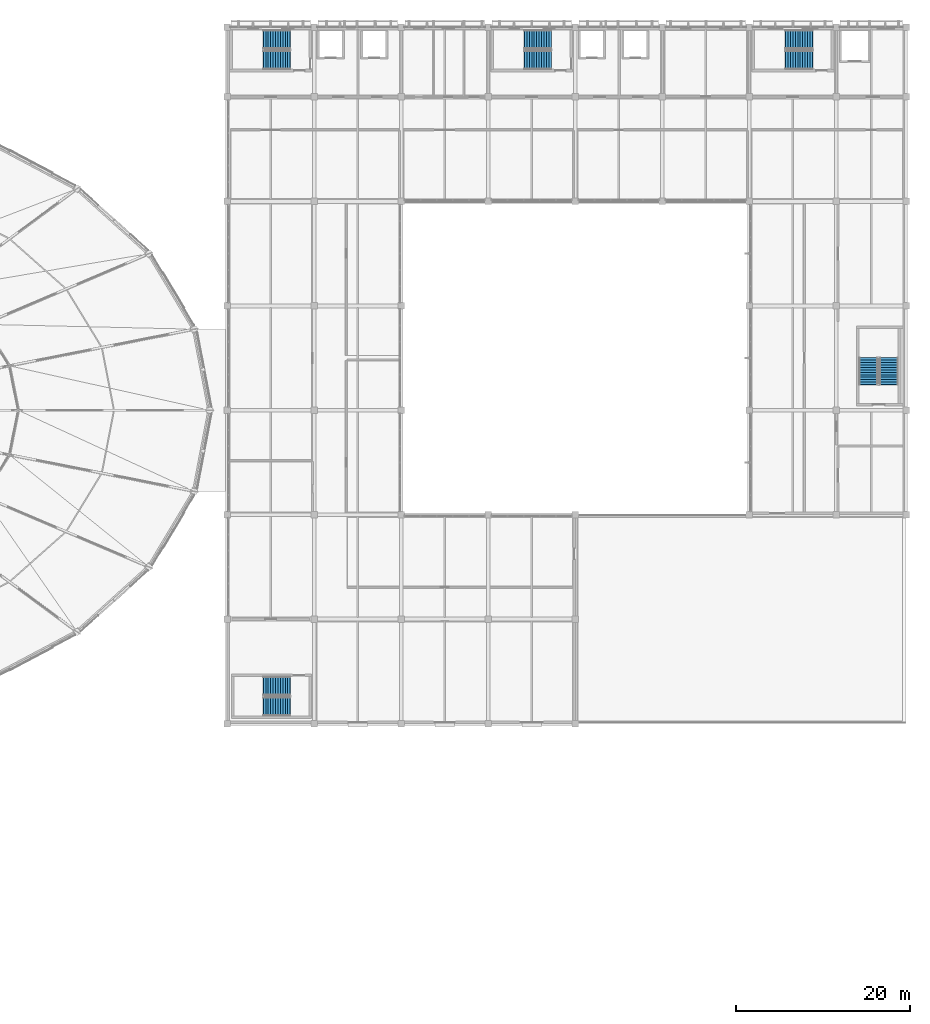
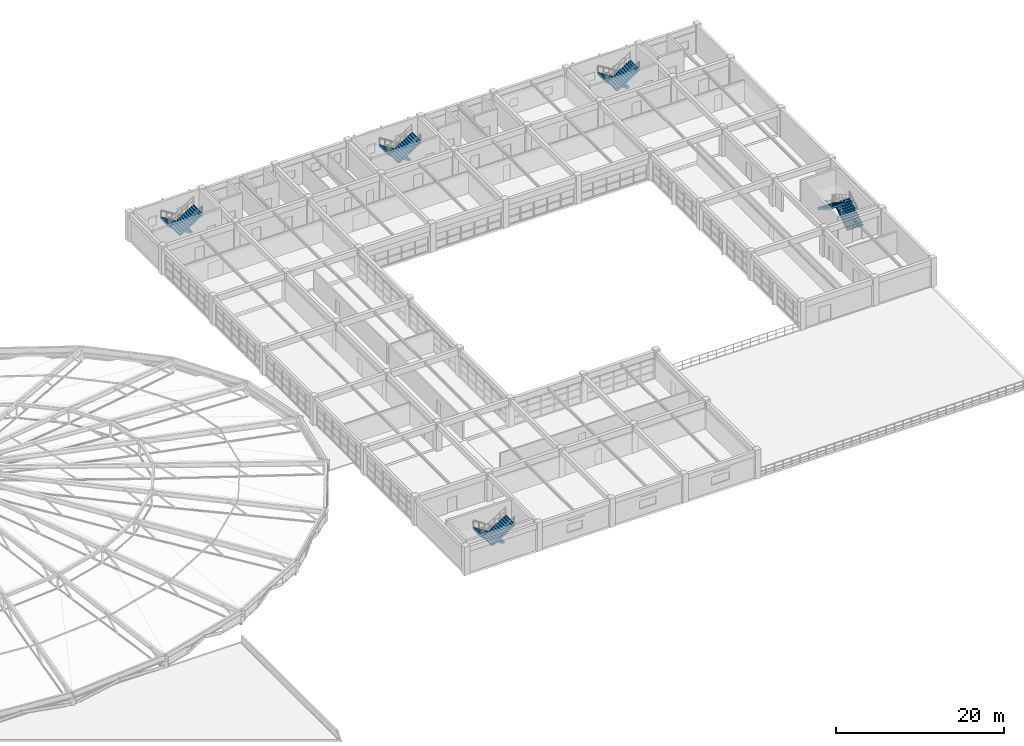
# One storey, part 74 of 83: 10 stair flights, 5 elements without a shape of their own.
"""IFC4 building model written with IfcOpenShell, lengths in metres."""

from ifc_helpers import new_model, si_unit, direction, frame, origin, place, context, subcontext, project, spatial, polyline, outline, extrude, material, type_object, element, aggregate, save


model = new_model("IFC4")

# Units and contexts
model_context = context("Model", 3, precision=1e-05, world=origin(), true_north=direction((0.0, 1.0)))
body_context = subcontext(model_context, "Body", "Model", "MODEL_VIEW")
ifc_project = project(units=[si_unit("LENGTHUNIT", "METRE"), si_unit("AREAUNIT", "SQUARE_METRE"), si_unit("VOLUMEUNIT", "CUBIC_METRE"), si_unit("PLANEANGLEUNIT", "RADIAN"), si_unit("MASSUNIT", "GRAM", prefix="KILO")], contexts=[model_context])

# Site, building, storey
site_placement = place(None, origin())
site = spatial("IfcSite", under=ifc_project, at=site_placement, CompositionType="ELEMENT")
building_placement = place(site_placement, origin())
building = spatial("IfcBuilding", under=site, at=building_placement, Name="Kivolera Central Railway Station", CompositionType="ELEMENT")
storey_placement = place(building_placement, frame((0.0, 0.0, 14.39990234375)))
storey = spatial("IfcBuildingStorey", under=building, at=storey_placement, Name="L03", CompositionType="ELEMENT", Elevation=14.39990234375)

# Stair, stair flights
ifc_material = material(Name="Concrete C40/50", Category="concrete")
stair_type = type_object("IfcStairType", Name="STR-2160-24", PredefinedType="HALF_TURN_STAIR", material=ifc_material)
stair_1_placement = place(storey_placement, origin())
stair_1 = element("IfcStair", 1, at=stair_1_placement, inside=storey, type_object=stair_type, Name="L03 Protected Exit Stair ST1", PredefinedType="HALF_TURN_STAIR")
stair_flight_type = type_object("IfcStairFlightType", Name="SFL-2160-24", PredefinedType="STRAIGHT", material=ifc_material)
stair_flight_1_placement = place(storey_placement, frame((125.239990234375, 132.60009765625, 0.0), z_axis=(0.0, 0.0, 1.0), x_axis=(-1.0, 0.0, 0.0)))
stair_flight_1 = element("IfcStairFlight", 2, at=stair_flight_1_placement, type_object=stair_flight_type, Name="ST1 flight 1", NumberOfRisers=12, NumberOfTreads=11, PredefinedType="STRAIGHT", RiserHeight=0.175, TreadLength=0.28, context=body_context, shape_type="SweptSolid", body=[
    extrude(outline(polyline([(-0.0400390625, 0.0), (0.0, 0.0), (0.0, 0.175048828125), (0.280029296875, 0.175048828125), (0.280029296875, 0.35009765625), (0.56005859375, 0.35009765625), (0.56005859375, 0.52490234375), (0.840087890625, 0.52490234375), (0.840087890625, 0.699951171875), (1.1201171875, 0.699951171875), (1.1201171875, 0.875), (1.39990234375, 0.875), (1.39990234375, 1.050048828125), (1.679931640625, 1.050048828125), (1.679931640625, 1.22509765625), (1.9599609375, 1.22509765625), (1.9599609375, 1.39990234375), (2.239990234375, 1.39990234375), (2.239990234375, 1.574951171875), (2.52001953125, 1.574951171875), (2.52001953125, 1.75), (2.800048828125, 1.75), (2.800048828125, 1.925048828125), (3.080078125, 1.925048828125), (3.080078125, 2.10009765625), (3.1201171875, 2.10009765625), (3.1201171875, 2.064697265625), (3.1201171875, 2.029541015625), (3.1201171875, 1.994384765625), (3.1201171875, 1.959228515625), (3.1201171875, 1.924072265625), (3.1201171875, 1.888916015625), (3.1201171875, 1.853759765625), (3.1201171875, 1.818603515625), (3.1201171875, 1.783447265625), (3.1201171875, 1.748291015625), (0.28271484375, -0.080078125), (-0.0400390625, -0.072021484375), (-0.0400390625, -0.06396484375), (-0.0400390625, -0.055908203125), (-0.0400390625, -0.048095703125), (-0.0400390625, -0.0400390625), (-0.0400390625, -0.031982421875), (-0.0400390625, -0.02392578125), (-0.0400390625, -0.01611328125), (-0.0400390625, -0.008056640625), (-0.0400390625, 0.0)])), frame((0.0, 1.080078125, 0.0), z_axis=(0.0, -1.0, 0.0), x_axis=(1.0, 0.0, 0.0)), (0.0, 0.0, 1.0), 2.159912109375),
])
stair_flight_2_placement = place(storey_placement, frame((122.159912109375, 130.260009765625, 2.10009765625), z_axis=(0.0, 0.0, 1.0), x_axis=(1.0, 0.0, 0.0)))
stair_flight_2 = element("IfcStairFlight", 3, at=stair_flight_2_placement, type_object=stair_flight_type, Name="ST1 flight 2", NumberOfRisers=12, NumberOfTreads=11, PredefinedType="STRAIGHT", RiserHeight=0.175, TreadLength=0.28, context=body_context, shape_type="SweptSolid", body=[
    extrude(outline(polyline([(-0.0400390625, 0.0), (0.0, 0.0), (0.0, 0.175048828125), (0.280029296875, 0.175048828125), (0.280029296875, 0.35009765625), (0.56005859375, 0.35009765625), (0.56005859375, 0.52490234375), (0.840087890625, 0.52490234375), (0.840087890625, 0.699951171875), (1.1201171875, 0.699951171875), (1.1201171875, 0.875), (1.39990234375, 0.875), (1.39990234375, 1.050048828125), (1.679931640625, 1.050048828125), (1.679931640625, 1.22509765625), (1.9599609375, 1.22509765625), (1.9599609375, 1.39990234375), (2.239990234375, 1.39990234375), (2.239990234375, 1.574951171875), (2.52001953125, 1.574951171875), (2.52001953125, 1.75), (2.800048828125, 1.75), (2.800048828125, 1.925048828125), (3.080078125, 1.925048828125), (3.080078125, 2.10009765625), (3.1201171875, 2.10009765625), (3.1201171875, 2.064697265625), (3.1201171875, 2.029541015625), (3.1201171875, 1.994384765625), (3.1201171875, 1.959228515625), (3.1201171875, 1.924072265625), (3.1201171875, 1.888916015625), (3.1201171875, 1.853759765625), (3.1201171875, 1.818603515625), (3.1201171875, 1.783447265625), (3.1201171875, 1.748291015625), (0.28271484375, -0.080078125), (-0.0400390625, -0.072021484375), (-0.0400390625, -0.06396484375), (-0.0400390625, -0.055908203125), (-0.0400390625, -0.048095703125), (-0.0400390625, -0.0400390625), (-0.0400390625, -0.031982421875), (-0.0400390625, -0.02392578125), (-0.0400390625, -0.01611328125), (-0.0400390625, -0.008056640625), (-0.0400390625, 0.0)])), frame((0.0, 1.080078125, 0.0), z_axis=(0.0, -1.0, 0.0), x_axis=(1.0, 0.0, 0.0)), (0.0, 0.0, 1.0), 2.159912109375),
])
aggregate(stair_1, [stair_flight_1, stair_flight_2])

stair_2_placement = place(storey_placement, origin())
stair_2 = element("IfcStair", 4, at=stair_2_placement, inside=storey, type_object=stair_type, Name="L03 Protected Exit Stair ST2", PredefinedType="HALF_TURN_STAIR")
stair_flight_3_placement = place(storey_placement, frame((155.239990234375, 132.60009765625, 0.0), z_axis=(0.0, 0.0, 1.0), x_axis=(-1.0, 0.0, 0.0)))
stair_flight_3 = element("IfcStairFlight", 5, at=stair_flight_3_placement, type_object=stair_flight_type, Name="ST2 flight 1", NumberOfRisers=12, NumberOfTreads=11, PredefinedType="STRAIGHT", RiserHeight=0.175, TreadLength=0.28, context=body_context, shape_type="SweptSolid", body=[
    extrude(outline(polyline([(-0.0400390625, 0.0), (0.0, 0.0), (0.0, 0.175048828125), (0.280029296875, 0.175048828125), (0.280029296875, 0.35009765625), (0.56005859375, 0.35009765625), (0.56005859375, 0.52490234375), (0.840087890625, 0.52490234375), (0.840087890625, 0.699951171875), (1.1201171875, 0.699951171875), (1.1201171875, 0.875), (1.39990234375, 0.875), (1.39990234375, 1.050048828125), (1.679931640625, 1.050048828125), (1.679931640625, 1.22509765625), (1.9599609375, 1.22509765625), (1.9599609375, 1.39990234375), (2.239990234375, 1.39990234375), (2.239990234375, 1.574951171875), (2.52001953125, 1.574951171875), (2.52001953125, 1.75), (2.800048828125, 1.75), (2.800048828125, 1.925048828125), (3.080078125, 1.925048828125), (3.080078125, 2.10009765625), (3.1201171875, 2.10009765625), (3.1201171875, 2.064697265625), (3.1201171875, 2.029541015625), (3.1201171875, 1.994384765625), (3.1201171875, 1.959228515625), (3.1201171875, 1.924072265625), (3.1201171875, 1.888916015625), (3.1201171875, 1.853759765625), (3.1201171875, 1.818603515625), (3.1201171875, 1.783447265625), (3.1201171875, 1.748291015625), (0.28271484375, -0.080078125), (-0.0400390625, -0.072021484375), (-0.0400390625, -0.06396484375), (-0.0400390625, -0.055908203125), (-0.0400390625, -0.048095703125), (-0.0400390625, -0.0400390625), (-0.0400390625, -0.031982421875), (-0.0400390625, -0.02392578125), (-0.0400390625, -0.01611328125), (-0.0400390625, -0.008056640625), (-0.0400390625, 0.0)])), frame((0.0, 1.080078125, 0.0), z_axis=(0.0, -1.0, 0.0), x_axis=(1.0, 0.0, 0.0)), (0.0, 0.0, 1.0), 2.159912109375),
])
stair_flight_4_placement = place(storey_placement, frame((152.159912109375, 130.260009765625, 2.10009765625), z_axis=(0.0, 0.0, 1.0), x_axis=(1.0, 0.0, 0.0)))
stair_flight_4 = element("IfcStairFlight", 6, at=stair_flight_4_placement, type_object=stair_flight_type, Name="ST2 flight 2", NumberOfRisers=12, NumberOfTreads=11, PredefinedType="STRAIGHT", RiserHeight=0.175, TreadLength=0.28, context=body_context, shape_type="SweptSolid", body=[
    extrude(outline(polyline([(-0.0400390625, 0.0), (0.0, 0.0), (0.0, 0.175048828125), (0.280029296875, 0.175048828125), (0.280029296875, 0.35009765625), (0.56005859375, 0.35009765625), (0.56005859375, 0.52490234375), (0.840087890625, 0.52490234375), (0.840087890625, 0.699951171875), (1.1201171875, 0.699951171875), (1.1201171875, 0.875), (1.39990234375, 0.875), (1.39990234375, 1.050048828125), (1.679931640625, 1.050048828125), (1.679931640625, 1.22509765625), (1.9599609375, 1.22509765625), (1.9599609375, 1.39990234375), (2.239990234375, 1.39990234375), (2.239990234375, 1.574951171875), (2.52001953125, 1.574951171875), (2.52001953125, 1.75), (2.800048828125, 1.75), (2.800048828125, 1.925048828125), (3.080078125, 1.925048828125), (3.080078125, 2.10009765625), (3.1201171875, 2.10009765625), (3.1201171875, 2.064697265625), (3.1201171875, 2.029541015625), (3.1201171875, 1.994384765625), (3.1201171875, 1.959228515625), (3.1201171875, 1.924072265625), (3.1201171875, 1.888916015625), (3.1201171875, 1.853759765625), (3.1201171875, 1.818603515625), (3.1201171875, 1.783447265625), (3.1201171875, 1.748291015625), (0.28271484375, -0.080078125), (-0.0400390625, -0.072021484375), (-0.0400390625, -0.06396484375), (-0.0400390625, -0.055908203125), (-0.0400390625, -0.048095703125), (-0.0400390625, -0.0400390625), (-0.0400390625, -0.031982421875), (-0.0400390625, -0.02392578125), (-0.0400390625, -0.01611328125), (-0.0400390625, -0.008056640625), (-0.0400390625, 0.0)])), frame((0.0, 1.080078125, 0.0), z_axis=(0.0, -1.0, 0.0), x_axis=(1.0, 0.0, 0.0)), (0.0, 0.0, 1.0), 2.159912109375),
])
aggregate(stair_2, [stair_flight_3, stair_flight_4])

stair_3_placement = place(storey_placement, origin())
stair_3 = element("IfcStair", 7, at=stair_3_placement, inside=storey, type_object=stair_type, Name="L03 Protected Exit Stair ST3", PredefinedType="HALF_TURN_STAIR")
stair_flight_5_placement = place(storey_placement, frame((185.239990234375, 132.60009765625, 0.0), z_axis=(0.0, 0.0, 1.0), x_axis=(-1.0, 0.0, 0.0)))
stair_flight_5 = element("IfcStairFlight", 8, at=stair_flight_5_placement, type_object=stair_flight_type, Name="ST3 flight 1", NumberOfRisers=12, NumberOfTreads=11, PredefinedType="STRAIGHT", RiserHeight=0.175, TreadLength=0.28, context=body_context, shape_type="SweptSolid", body=[
    extrude(outline(polyline([(-0.0400390625, 0.0), (0.0, 0.0), (0.0, 0.175048828125), (0.280029296875, 0.175048828125), (0.280029296875, 0.35009765625), (0.56005859375, 0.35009765625), (0.56005859375, 0.52490234375), (0.840087890625, 0.52490234375), (0.840087890625, 0.699951171875), (1.1201171875, 0.699951171875), (1.1201171875, 0.875), (1.39990234375, 0.875), (1.39990234375, 1.050048828125), (1.679931640625, 1.050048828125), (1.679931640625, 1.22509765625), (1.9599609375, 1.22509765625), (1.9599609375, 1.39990234375), (2.239990234375, 1.39990234375), (2.239990234375, 1.574951171875), (2.52001953125, 1.574951171875), (2.52001953125, 1.75), (2.800048828125, 1.75), (2.800048828125, 1.925048828125), (3.080078125, 1.925048828125), (3.080078125, 2.10009765625), (3.1201171875, 2.10009765625), (3.1201171875, 2.064697265625), (3.1201171875, 2.029541015625), (3.1201171875, 1.994384765625), (3.1201171875, 1.959228515625), (3.1201171875, 1.924072265625), (3.1201171875, 1.888916015625), (3.1201171875, 1.853759765625), (3.1201171875, 1.818603515625), (3.1201171875, 1.783447265625), (3.1201171875, 1.748291015625), (0.28271484375, -0.080078125), (-0.0400390625, -0.072021484375), (-0.0400390625, -0.06396484375), (-0.0400390625, -0.055908203125), (-0.0400390625, -0.048095703125), (-0.0400390625, -0.0400390625), (-0.0400390625, -0.031982421875), (-0.0400390625, -0.02392578125), (-0.0400390625, -0.01611328125), (-0.0400390625, -0.008056640625), (-0.0400390625, 0.0)])), frame((0.0, 1.080078125, 0.0), z_axis=(0.0, -1.0, 0.0), x_axis=(1.0, 0.0, 0.0)), (0.0, 0.0, 1.0), 2.159912109375),
])
stair_flight_6_placement = place(storey_placement, frame((182.159912109375, 130.260009765625, 2.10009765625), z_axis=(0.0, 0.0, 1.0), x_axis=(1.0, 0.0, 0.0)))
stair_flight_6 = element("IfcStairFlight", 9, at=stair_flight_6_placement, type_object=stair_flight_type, Name="ST3 flight 2", NumberOfRisers=12, NumberOfTreads=11, PredefinedType="STRAIGHT", RiserHeight=0.175, TreadLength=0.28, context=body_context, shape_type="SweptSolid", body=[
    extrude(outline(polyline([(-0.0400390625, 0.0), (0.0, 0.0), (0.0, 0.175048828125), (0.280029296875, 0.175048828125), (0.280029296875, 0.35009765625), (0.56005859375, 0.35009765625), (0.56005859375, 0.52490234375), (0.840087890625, 0.52490234375), (0.840087890625, 0.699951171875), (1.1201171875, 0.699951171875), (1.1201171875, 0.875), (1.39990234375, 0.875), (1.39990234375, 1.050048828125), (1.679931640625, 1.050048828125), (1.679931640625, 1.22509765625), (1.9599609375, 1.22509765625), (1.9599609375, 1.39990234375), (2.239990234375, 1.39990234375), (2.239990234375, 1.574951171875), (2.52001953125, 1.574951171875), (2.52001953125, 1.75), (2.800048828125, 1.75), (2.800048828125, 1.925048828125), (3.080078125, 1.925048828125), (3.080078125, 2.10009765625), (3.1201171875, 2.10009765625), (3.1201171875, 2.064697265625), (3.1201171875, 2.029541015625), (3.1201171875, 1.994384765625), (3.1201171875, 1.959228515625), (3.1201171875, 1.924072265625), (3.1201171875, 1.888916015625), (3.1201171875, 1.853759765625), (3.1201171875, 1.818603515625), (3.1201171875, 1.783447265625), (3.1201171875, 1.748291015625), (0.28271484375, -0.080078125), (-0.0400390625, -0.072021484375), (-0.0400390625, -0.06396484375), (-0.0400390625, -0.055908203125), (-0.0400390625, -0.048095703125), (-0.0400390625, -0.0400390625), (-0.0400390625, -0.031982421875), (-0.0400390625, -0.02392578125), (-0.0400390625, -0.01611328125), (-0.0400390625, -0.008056640625), (-0.0400390625, 0.0)])), frame((0.0, 1.080078125, 0.0), z_axis=(0.0, -1.0, 0.0), x_axis=(1.0, 0.0, 0.0)), (0.0, 0.0, 1.0), 2.159912109375),
])
aggregate(stair_3, [stair_flight_5, stair_flight_6])

stair_4_placement = place(storey_placement, origin())
stair_4 = element("IfcStair", 10, at=stair_4_placement, inside=storey, type_object=stair_type, Name="L03 Protected Exit Stair ST4", PredefinedType="HALF_TURN_STAIR")
stair_flight_7_placement = place(storey_placement, frame((125.239990234375, 58.320068359375, 0.0), z_axis=(0.0, 0.0, 1.0), x_axis=(-1.0, 0.0, 0.0)))
stair_flight_7 = element("IfcStairFlight", 11, at=stair_flight_7_placement, type_object=stair_flight_type, Name="ST4 flight 1", NumberOfRisers=12, NumberOfTreads=11, PredefinedType="STRAIGHT", RiserHeight=0.175, TreadLength=0.28, context=body_context, shape_type="SweptSolid", body=[
    extrude(outline(polyline([(-0.0400390625, 0.0), (0.0, 0.0), (0.0, 0.175048828125), (0.280029296875, 0.175048828125), (0.280029296875, 0.35009765625), (0.56005859375, 0.35009765625), (0.56005859375, 0.52490234375), (0.840087890625, 0.52490234375), (0.840087890625, 0.699951171875), (1.1201171875, 0.699951171875), (1.1201171875, 0.875), (1.39990234375, 0.875), (1.39990234375, 1.050048828125), (1.679931640625, 1.050048828125), (1.679931640625, 1.22509765625), (1.9599609375, 1.22509765625), (1.9599609375, 1.39990234375), (2.239990234375, 1.39990234375), (2.239990234375, 1.574951171875), (2.52001953125, 1.574951171875), (2.52001953125, 1.75), (2.800048828125, 1.75), (2.800048828125, 1.925048828125), (3.080078125, 1.925048828125), (3.080078125, 2.10009765625), (3.1201171875, 2.10009765625), (3.1201171875, 2.064697265625), (3.1201171875, 2.029541015625), (3.1201171875, 1.994384765625), (3.1201171875, 1.959228515625), (3.1201171875, 1.924072265625), (3.1201171875, 1.888916015625), (3.1201171875, 1.853759765625), (3.1201171875, 1.818603515625), (3.1201171875, 1.783447265625), (3.1201171875, 1.748291015625), (0.28271484375, -0.080078125), (-0.0400390625, -0.072021484375), (-0.0400390625, -0.06396484375), (-0.0400390625, -0.055908203125), (-0.0400390625, -0.048095703125), (-0.0400390625, -0.0400390625), (-0.0400390625, -0.031982421875), (-0.0400390625, -0.02392578125), (-0.0400390625, -0.01611328125), (-0.0400390625, -0.008056640625), (-0.0400390625, 0.0)])), frame((0.0, 1.080078125, 0.0), z_axis=(0.0, -1.0, 0.0), x_axis=(1.0, 0.0, 0.0)), (0.0, 0.0, 1.0), 2.159912109375),
])
stair_flight_8_placement = place(storey_placement, frame((122.159912109375, 55.97998046875, 2.10009765625), z_axis=(0.0, 0.0, 1.0), x_axis=(1.0, 0.0, 0.0)))
stair_flight_8 = element("IfcStairFlight", 12, at=stair_flight_8_placement, type_object=stair_flight_type, Name="ST4 flight 2", NumberOfRisers=12, NumberOfTreads=11, PredefinedType="STRAIGHT", RiserHeight=0.175, TreadLength=0.28, context=body_context, shape_type="SweptSolid", body=[
    extrude(outline(polyline([(-0.0400390625, 0.0), (0.0, 0.0), (0.0, 0.175048828125), (0.280029296875, 0.175048828125), (0.280029296875, 0.35009765625), (0.56005859375, 0.35009765625), (0.56005859375, 0.52490234375), (0.840087890625, 0.52490234375), (0.840087890625, 0.699951171875), (1.1201171875, 0.699951171875), (1.1201171875, 0.875), (1.39990234375, 0.875), (1.39990234375, 1.050048828125), (1.679931640625, 1.050048828125), (1.679931640625, 1.22509765625), (1.9599609375, 1.22509765625), (1.9599609375, 1.39990234375), (2.239990234375, 1.39990234375), (2.239990234375, 1.574951171875), (2.52001953125, 1.574951171875), (2.52001953125, 1.75), (2.800048828125, 1.75), (2.800048828125, 1.925048828125), (3.080078125, 1.925048828125), (3.080078125, 2.10009765625), (3.1201171875, 2.10009765625), (3.1201171875, 2.064697265625), (3.1201171875, 2.029541015625), (3.1201171875, 1.994384765625), (3.1201171875, 1.959228515625), (3.1201171875, 1.924072265625), (3.1201171875, 1.888916015625), (3.1201171875, 1.853759765625), (3.1201171875, 1.818603515625), (3.1201171875, 1.783447265625), (3.1201171875, 1.748291015625), (0.28271484375, -0.080078125), (-0.0400390625, -0.072021484375), (-0.0400390625, -0.06396484375), (-0.0400390625, -0.055908203125), (-0.0400390625, -0.048095703125), (-0.0400390625, -0.0400390625), (-0.0400390625, -0.031982421875), (-0.0400390625, -0.02392578125), (-0.0400390625, -0.01611328125), (-0.0400390625, -0.008056640625), (-0.0400390625, 0.0)])), frame((0.0, 1.080078125, 0.0), z_axis=(0.0, -1.0, 0.0), x_axis=(1.0, 0.0, 0.0)), (0.0, 0.0, 1.0), 2.159912109375),
])
aggregate(stair_4, [stair_flight_7, stair_flight_8])

stair_5_placement = place(storey_placement, origin())
stair_5 = element("IfcStair", 13, at=stair_5_placement, inside=storey, type_object=stair_type, Name="L03 Protected Exit Stair ST11", PredefinedType="HALF_TURN_STAIR")
stair_flight_9_placement = place(storey_placement, frame((194.02001953125, 92.9599609375, 0.0), z_axis=(0.0, 0.0, 1.0), x_axis=(0.0, 1.0, 0.0)))
stair_flight_9 = element("IfcStairFlight", 14, at=stair_flight_9_placement, type_object=stair_flight_type, Name="ST11 flight 1", NumberOfRisers=12, NumberOfTreads=11, PredefinedType="STRAIGHT", RiserHeight=0.175, TreadLength=0.28, context=body_context, shape_type="SweptSolid", body=[
    extrude(outline(polyline([(-0.0400390625, 0.0), (0.0, 0.0), (0.0, 0.175048828125), (0.280029296875, 0.175048828125), (0.280029296875, 0.35009765625), (0.56005859375, 0.35009765625), (0.56005859375, 0.52490234375), (0.840087890625, 0.52490234375), (0.840087890625, 0.699951171875), (1.1201171875, 0.699951171875), (1.1201171875, 0.875), (1.39990234375, 0.875), (1.39990234375, 1.050048828125), (1.679931640625, 1.050048828125), (1.679931640625, 1.22509765625), (1.9599609375, 1.22509765625), (1.9599609375, 1.39990234375), (2.239990234375, 1.39990234375), (2.239990234375, 1.574951171875), (2.52001953125, 1.574951171875), (2.52001953125, 1.75), (2.800048828125, 1.75), (2.800048828125, 1.925048828125), (3.080078125, 1.925048828125), (3.080078125, 2.10009765625), (3.1201171875, 2.10009765625), (3.1201171875, 2.064697265625), (3.1201171875, 2.029541015625), (3.1201171875, 1.994384765625), (3.1201171875, 1.959228515625), (3.1201171875, 1.924072265625), (3.1201171875, 1.888916015625), (3.1201171875, 1.853759765625), (3.1201171875, 1.818603515625), (3.1201171875, 1.783447265625), (3.1201171875, 1.748291015625), (0.28271484375, -0.080078125), (-0.0400390625, -0.072021484375), (-0.0400390625, -0.06396484375), (-0.0400390625, -0.055908203125), (-0.0400390625, -0.048095703125), (-0.0400390625, -0.0400390625), (-0.0400390625, -0.031982421875), (-0.0400390625, -0.02392578125), (-0.0400390625, -0.01611328125), (-0.0400390625, -0.008056640625), (-0.0400390625, 0.0)])), frame((0.0, 1.080078125, 0.0), z_axis=(0.0, -1.0, 0.0), x_axis=(1.0, 0.0, 0.0)), (0.0, 0.0, 1.0), 2.159912109375),
])
stair_flight_10_placement = place(storey_placement, frame((191.679931640625, 96.0400390625, 2.10009765625), z_axis=(0.0, 0.0, 1.0), x_axis=(0.0, -1.0, 0.0)))
stair_flight_10 = element("IfcStairFlight", 15, at=stair_flight_10_placement, type_object=stair_flight_type, Name="ST11 flight 2", NumberOfRisers=12, NumberOfTreads=11, PredefinedType="STRAIGHT", RiserHeight=0.175, TreadLength=0.28, context=body_context, shape_type="SweptSolid", body=[
    extrude(outline(polyline([(-0.0400390625, 0.0), (0.0, 0.0), (0.0, 0.175048828125), (0.280029296875, 0.175048828125), (0.280029296875, 0.35009765625), (0.56005859375, 0.35009765625), (0.56005859375, 0.52490234375), (0.840087890625, 0.52490234375), (0.840087890625, 0.699951171875), (1.1201171875, 0.699951171875), (1.1201171875, 0.875), (1.39990234375, 0.875), (1.39990234375, 1.050048828125), (1.679931640625, 1.050048828125), (1.679931640625, 1.22509765625), (1.9599609375, 1.22509765625), (1.9599609375, 1.39990234375), (2.239990234375, 1.39990234375), (2.239990234375, 1.574951171875), (2.52001953125, 1.574951171875), (2.52001953125, 1.75), (2.800048828125, 1.75), (2.800048828125, 1.925048828125), (3.080078125, 1.925048828125), (3.080078125, 2.10009765625), (3.1201171875, 2.10009765625), (3.1201171875, 2.064697265625), (3.1201171875, 2.029541015625), (3.1201171875, 1.994384765625), (3.1201171875, 1.959228515625), (3.1201171875, 1.924072265625), (3.1201171875, 1.888916015625), (3.1201171875, 1.853759765625), (3.1201171875, 1.818603515625), (3.1201171875, 1.783447265625), (3.1201171875, 1.748291015625), (0.28271484375, -0.080078125), (-0.0400390625, -0.072021484375), (-0.0400390625, -0.06396484375), (-0.0400390625, -0.055908203125), (-0.0400390625, -0.048095703125), (-0.0400390625, -0.0400390625), (-0.0400390625, -0.031982421875), (-0.0400390625, -0.02392578125), (-0.0400390625, -0.01611328125), (-0.0400390625, -0.008056640625), (-0.0400390625, 0.0)])), frame((0.0, 1.080078125, 0.0), z_axis=(0.0, -1.0, 0.0), x_axis=(1.0, 0.0, 0.0)), (0.0, 0.0, 1.0), 2.159912109375),
])
aggregate(stair_5, [stair_flight_9, stair_flight_10])

save(model, "model.ifc")
